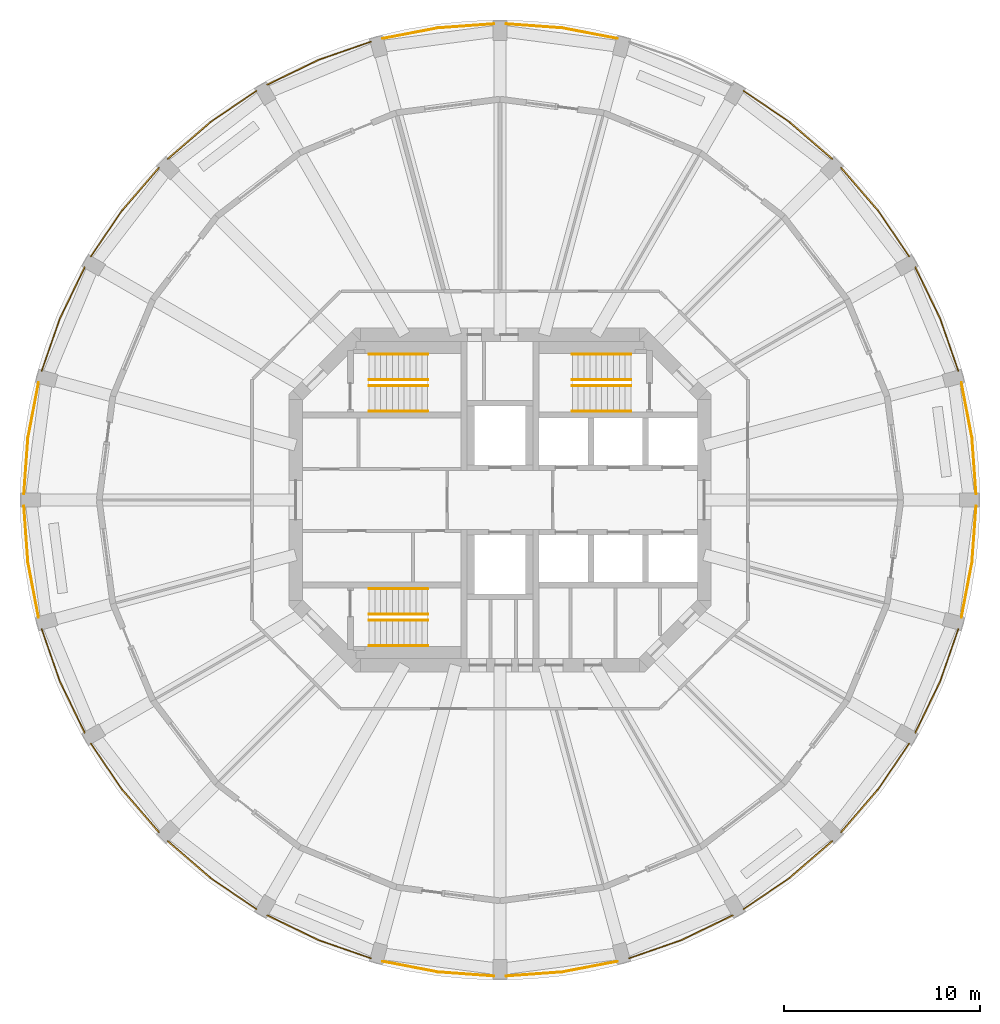
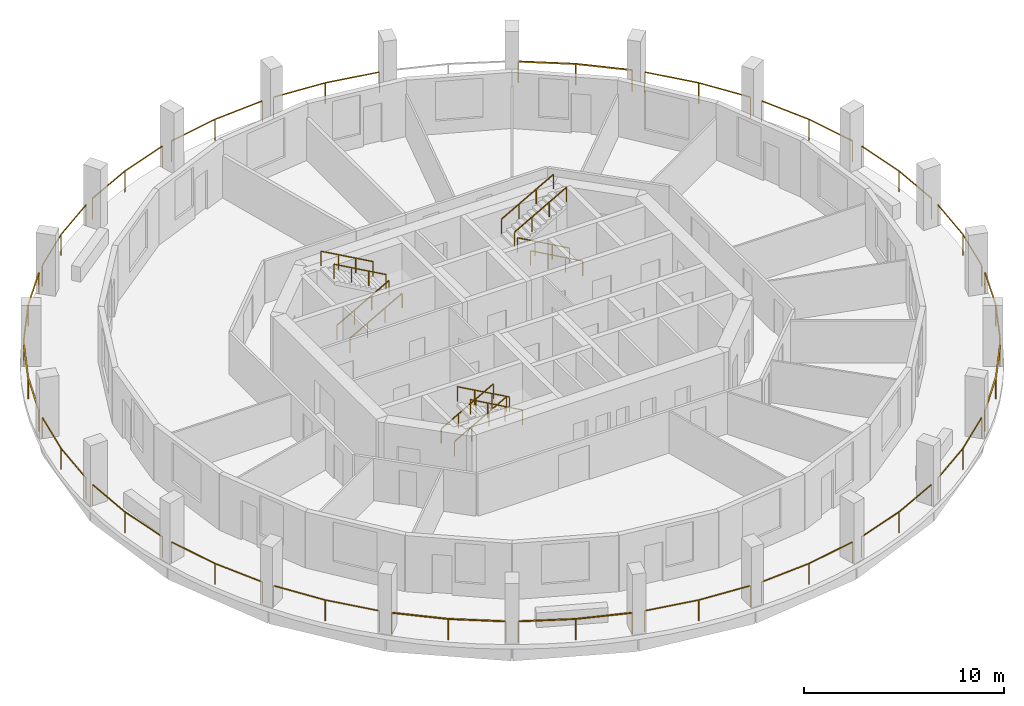
# One storey, part 8 of 9: 35 railings.
"""IFC4 building model written with IfcOpenShell, lengths in metres."""

from ifc_helpers import new_model, si_unit, direction, frame, origin, origin_2d, place, context, subcontext, project, spatial, rectangle, extrude, material, type_object, element, save


model = new_model("IFC4")

# Units and contexts
model_context = context("Model", 3, precision=1e-05, world=origin(), true_north=direction((0.0, 1.0)))
body_context = subcontext(model_context, "Body", "Model", "MODEL_VIEW")
ifc_project = project(units=[si_unit("LENGTHUNIT", "METRE"), si_unit("AREAUNIT", "SQUARE_METRE"), si_unit("VOLUMEUNIT", "CUBIC_METRE"), si_unit("PLANEANGLEUNIT", "RADIAN"), si_unit("MASSUNIT", "GRAM", prefix="KILO")], contexts=[model_context])

# Site, building, storey
site_placement = place(None, origin())
site = spatial("IfcSite", under=ifc_project, at=site_placement, CompositionType="ELEMENT")
building_placement = place(site_placement, origin())
building = spatial("IfcBuilding", under=site, at=building_placement, Name="Torre Triforio", CompositionType="ELEMENT")
storey_placement = place(building_placement, frame((0.0, 0.0, 226.10009765625)))
storey = spatial("IfcBuildingStorey", under=building, at=storey_placement, Name="L51", CompositionType="ELEMENT", Elevation=226.10009765625)

# Railings
ifc_material = material(Name="Stainless steel AISI 316", Category="steel")
railing_type_1 = type_object("IfcRailingType", Name="HANDRAIL 920", PredefinedType="HANDRAIL", material=ifc_material)
for number, where, name in (
    (1, (-6.699951171875, 4.550048828125, 0.16796875), "Handrail ST1"),
    (2, (-6.699951171875, 5.85009765625, 0.16796875), "Handrail ST1"),
):
    element("IfcRailing", number, at=place(storey_placement, frame(where)), inside=storey, type_object=railing_type_1, Name=name, PredefinedType="HANDRAIL", context=body_context, shape_type="SweptSolid", body=[
        extrude(rectangle(XDim=0.048095703125, YDim=0.048095703125, at=origin_2d()), frame((0.0, 0.0, 0.89599609375), z_axis=(0.872272294576, 0.0, 0.489020494575), x_axis=(0.0, 1.0, 0.0)), (0.0, 0.0, 1.0), 3.439208984375),
        extrude(rectangle(XDim=0.0419921875, YDim=0.0419921875, at=origin_2d()), origin(), (0.0, 0.0, 1.0), 0.871826171875),
        extrude(rectangle(XDim=0.0419921875, YDim=0.0419921875, at=origin_2d()), frame((1.0, 0.0, 0.560546875)), (0.0, 0.0, 1.0), 0.871826171875),
        extrude(rectangle(XDim=0.0419921875, YDim=0.0419921875, at=origin_2d()), frame((2.0, 0.0, 1.121337890625)), (0.0, 0.0, 1.0), 0.871826171875),
        extrude(rectangle(XDim=0.0419921875, YDim=0.0419921875, at=origin_2d()), frame((3.0, 0.0, 1.681884765625)), (0.0, 0.0, 1.0), 0.871826171875),
    ])
for number, where, name in (
    (3, (-3.699951171875, 7.449951171875, 2.01806640625), "Handrail ST1"),
    (4, (-3.699951171875, 6.14990234375, 2.01806640625), "Handrail ST1"),
    (5, (6.699951171875, 4.550048828125, 0.16796875), "Handrail ST2"),
    (6, (6.699951171875, 5.85009765625, 0.16796875), "Handrail ST2"),
):
    element("IfcRailing", number, at=place(storey_placement, frame(where)), inside=storey, type_object=railing_type_1, Name=name, PredefinedType="HANDRAIL", context=body_context, shape_type="SweptSolid", body=[
        extrude(rectangle(XDim=0.048095703125, YDim=0.048095703125, at=origin_2d()), frame((0.0, 0.0, 0.89599609375), z_axis=(-0.872272294576, 0.0, 0.489020494575), x_axis=(0.0, -1.0, 0.0)), (0.0, 0.0, 1.0), 3.439208984375),
        extrude(rectangle(XDim=0.0419921875, YDim=0.0419921875, at=origin_2d()), origin(), (0.0, 0.0, 1.0), 0.871826171875),
        extrude(rectangle(XDim=0.0419921875, YDim=0.0419921875, at=origin_2d()), frame((-1.0, 0.0, 0.560546875)), (0.0, 0.0, 1.0), 0.871826171875),
        extrude(rectangle(XDim=0.0419921875, YDim=0.0419921875, at=origin_2d()), frame((-2.0, 0.0, 1.121337890625)), (0.0, 0.0, 1.0), 0.871826171875),
        extrude(rectangle(XDim=0.0419921875, YDim=0.0419921875, at=origin_2d()), frame((-3.0, 0.0, 1.681884765625)), (0.0, 0.0, 1.0), 0.871826171875),
    ])
for number, where, name in (
    (7, (3.699951171875, 7.449951171875, 2.01806640625), "Handrail ST2"),
    (8, (3.699951171875, 6.14990234375, 2.01806640625), "Handrail ST2"),
    (9, (-6.699951171875, -4.550048828125, 0.16796875), "Handrail ST3"),
    (10, (-6.699951171875, -5.85009765625, 0.16796875), "Handrail ST3"),
):
    element("IfcRailing", number, at=place(storey_placement, frame(where)), inside=storey, type_object=railing_type_1, Name=name, PredefinedType="HANDRAIL", context=body_context, shape_type="SweptSolid", body=[
        extrude(rectangle(XDim=0.048095703125, YDim=0.048095703125, at=origin_2d()), frame((0.0, 0.0, 0.89599609375), z_axis=(0.872272294576, 0.0, 0.489020494575), x_axis=(0.0, 1.0, 0.0)), (0.0, 0.0, 1.0), 3.439208984375),
        extrude(rectangle(XDim=0.0419921875, YDim=0.0419921875, at=origin_2d()), origin(), (0.0, 0.0, 1.0), 0.871826171875),
        extrude(rectangle(XDim=0.0419921875, YDim=0.0419921875, at=origin_2d()), frame((1.0, 0.0, 0.560546875)), (0.0, 0.0, 1.0), 0.871826171875),
        extrude(rectangle(XDim=0.0419921875, YDim=0.0419921875, at=origin_2d()), frame((2.0, 0.0, 1.121337890625)), (0.0, 0.0, 1.0), 0.871826171875),
        extrude(rectangle(XDim=0.0419921875, YDim=0.0419921875, at=origin_2d()), frame((3.0, 0.0, 1.681884765625)), (0.0, 0.0, 1.0), 0.871826171875),
    ])
for number, where, name in (
    (11, (-3.699951171875, -7.449951171875, 2.01806640625), "Handrail ST3"),
    (12, (-3.699951171875, -6.14990234375, 2.01806640625), "Handrail ST3"),
):
    element("IfcRailing", number, at=place(storey_placement, frame(where)), inside=storey, type_object=railing_type_1, Name=name, PredefinedType="HANDRAIL", context=body_context, shape_type="SweptSolid", body=[
        extrude(rectangle(XDim=0.048095703125, YDim=0.048095703125, at=origin_2d()), frame((0.0, 0.0, 0.89599609375), z_axis=(-0.872272294576, 0.0, 0.489020494575), x_axis=(0.0, -1.0, 0.0)), (0.0, 0.0, 1.0), 3.439208984375),
        extrude(rectangle(XDim=0.0419921875, YDim=0.0419921875, at=origin_2d()), origin(), (0.0, 0.0, 1.0), 0.871826171875),
        extrude(rectangle(XDim=0.0419921875, YDim=0.0419921875, at=origin_2d()), frame((-1.0, 0.0, 0.560546875)), (0.0, 0.0, 1.0), 0.871826171875),
        extrude(rectangle(XDim=0.0419921875, YDim=0.0419921875, at=origin_2d()), frame((-2.0, 0.0, 1.121337890625)), (0.0, 0.0, 1.0), 0.871826171875),
        extrude(rectangle(XDim=0.0419921875, YDim=0.0419921875, at=origin_2d()), frame((-3.0, 0.0, 1.681884765625)), (0.0, 0.0, 1.0), 0.871826171875),
    ])
railing_type_2 = type_object("IfcRailingType", Name="Loggia guard 1300", PredefinedType="GUARDRAIL", material=ifc_material)
railing_1_placement = place(storey_placement, frame((24.35009765625, 0.320068359375, 0.0)))
element("IfcRailing", 13, at=railing_1_placement, inside=storey, type_object=railing_type_2, Name="Loggia guard L51 bay 01", PredefinedType="GUARDRAIL", context=body_context, shape_type="SweptSolid", body=[
    extrude(rectangle(XDim=0.050048828125, YDim=0.050048828125, at=origin_2d()), frame((0.0, 0.0, 1.27490234375), z_axis=(-0.072754488601, 0.997349880628, 0.0), x_axis=(-0.997349880628, -0.072754488601, 0.0)), (0.0, 0.0, 1.0), 2.86572265625),
    extrude(rectangle(XDim=0.050048828125, YDim=0.050048828125, at=origin_2d()), frame((-0.20849609375, 2.858154296875, 1.27490234375), z_axis=(-0.187918414449, 0.982184641252, 0.0), x_axis=(-0.982184641252, -0.187918414449, 0.0)), (0.0, 0.0, 1.0), 2.865966796875),
    extrude(rectangle(XDim=0.0400390625, YDim=0.0400390625, at=origin_2d()), origin(), (0.0, 0.0, 1.0), 1.25),
    extrude(rectangle(XDim=0.0400390625, YDim=0.0400390625, at=origin_2d()), frame((-0.20849609375, 2.858154296875, 0.0)), (0.0, 0.0, 1.0), 1.25),
    extrude(rectangle(XDim=0.0400390625, YDim=0.0400390625, at=origin_2d()), frame((-0.7470703125, 5.673095703125, 0.0)), (0.0, 0.0, 1.0), 1.25),
])
railing_2_placement = place(storey_placement, frame((23.4375, 6.611328125, 0.0)))
element("IfcRailing", 14, at=railing_2_placement, inside=storey, type_object=railing_type_2, Name="Loggia guard L51 bay 02", PredefinedType="GUARDRAIL", context=body_context, shape_type="SweptSolid", body=[
    extrude(rectangle(XDim=0.050048828125, YDim=0.050048828125, at=origin_2d()), frame((0.0, 0.0, 1.27490234375), z_axis=(-0.328315763022, 0.944568028123, 0.0), x_axis=(-0.944568028123, -0.328315763022, 0.0)), (0.0, 0.0, 1.0), 2.865966796875),
    extrude(rectangle(XDim=0.050048828125, YDim=0.050048828125, at=origin_2d()), frame((-0.94091796875, 2.70703125, 1.27490234375), z_axis=(-0.435727917358, 0.900078431046, 0.0), x_axis=(-0.900078431046, -0.435727917358, 0.0)), (0.0, 0.0, 1.0), 2.865966796875),
    extrude(rectangle(XDim=0.0400390625, YDim=0.0400390625, at=origin_2d()), origin(), (0.0, 0.0, 1.0), 1.25),
    extrude(rectangle(XDim=0.0400390625, YDim=0.0400390625, at=origin_2d()), frame((-0.94091796875, 2.70703125, 0.0)), (0.0, 0.0, 1.0), 1.25),
    extrude(rectangle(XDim=0.0400390625, YDim=0.0400390625, at=origin_2d()), frame((-2.189697265625, 5.28662109375, 0.0)), (0.0, 0.0, 1.0), 1.25),
])
railing_3_placement = place(storey_placement, frame((20.927734375, 12.4521484375, 0.0)))
element("IfcRailing", 15, at=railing_3_placement, inside=storey, type_object=railing_type_2, Name="Loggia guard L51 bay 03", PredefinedType="GUARDRAIL", context=body_context, shape_type="SweptSolid", body=[
    extrude(rectangle(XDim=0.050048828125, YDim=0.050048828125, at=origin_2d()), frame((0.0, 0.0, 1.27490234375), z_axis=(-0.561659735558, 0.827368322727, 0.0), x_axis=(-0.827368322727, -0.561659735558, 0.0)), (0.0, 0.0, 1.0), 2.86572265625),
    extrude(rectangle(XDim=0.050048828125, YDim=0.050048828125, at=origin_2d()), frame((-1.609619140625, 2.37109375, 1.27490234375), z_axis=(-0.653823896404, 0.756646755422, 0.0), x_axis=(-0.756646755422, -0.653823896404, 0.0)), (0.0, 0.0, 1.0), 2.865966796875),
    extrude(rectangle(XDim=0.0400390625, YDim=0.0400390625, at=origin_2d()), origin(), (0.0, 0.0, 1.0), 1.25),
    extrude(rectangle(XDim=0.0400390625, YDim=0.0400390625, at=origin_2d()), frame((-1.609619140625, 2.37109375, 0.0)), (0.0, 0.0, 1.0), 1.25),
    extrude(rectangle(XDim=0.0400390625, YDim=0.0400390625, at=origin_2d()), frame((-3.4833984375, 4.53955078125, 0.0)), (0.0, 0.0, 1.0), 1.25),
])
railing_4_placement = place(storey_placement, frame((16.99169921875, 17.4443359375, 0.0)))
element("IfcRailing", 16, at=railing_4_placement, inside=storey, type_object=railing_type_2, Name="Loggia guard L51 bay 04", PredefinedType="GUARDRAIL", context=body_context, shape_type="SweptSolid", body=[
    extrude(rectangle(XDim=0.050048828125, YDim=0.050048828125, at=origin_2d()), frame((0.0, 0.0, 1.27490234375), z_axis=(-0.756646755422, 0.653823896404, 0.0), x_axis=(-0.653823896404, -0.756646755422, 0.0)), (0.0, 0.0, 1.0), 2.865966796875),
    extrude(rectangle(XDim=0.050048828125, YDim=0.050048828125, at=origin_2d()), frame((-2.16845703125, 1.873779296875, 1.27490234375), z_axis=(-0.827368322727, 0.561659735558, 0.0), x_axis=(-0.561659735558, -0.827368322727, 0.0)), (0.0, 0.0, 1.0), 2.86572265625),
    extrude(rectangle(XDim=0.0400390625, YDim=0.0400390625, at=origin_2d()), origin(), (0.0, 0.0, 1.0), 1.25),
    extrude(rectangle(XDim=0.0400390625, YDim=0.0400390625, at=origin_2d()), frame((-2.16845703125, 1.873779296875, 0.0)), (0.0, 0.0, 1.0), 1.25),
    extrude(rectangle(XDim=0.0400390625, YDim=0.0400390625, at=origin_2d()), frame((-4.53955078125, 3.4833984375, 0.0)), (0.0, 0.0, 1.0), 1.25),
])
railing_5_placement = place(storey_placement, frame((5.9931640625, 23.60302734375, 0.0)))
element("IfcRailing", 17, at=railing_5_placement, inside=storey, type_object=railing_type_2, Name="Loggia guard L51 bay 06", PredefinedType="GUARDRAIL", context=body_context, shape_type="SweptSolid", body=[
    extrude(rectangle(XDim=0.050048828125, YDim=0.050048828125, at=origin_2d()), frame((0.0, 0.0, 1.27490234375), z_axis=(-0.982184641252, 0.187918414449, 0.0), x_axis=(-0.187918414449, -0.982184641252, 0.0)), (0.0, 0.0, 1.0), 2.865966796875),
    extrude(rectangle(XDim=0.050048828125, YDim=0.050048828125, at=origin_2d()), frame((-2.81494140625, 0.53857421875, 1.27490234375), z_axis=(-0.997349880628, 0.072754488601, 0.0), x_axis=(-0.072754488601, -0.997349880628, 0.0)), (0.0, 0.0, 1.0), 2.86572265625),
    extrude(rectangle(XDim=0.0400390625, YDim=0.0400390625, at=origin_2d()), origin(), (0.0, 0.0, 1.0), 1.25),
    extrude(rectangle(XDim=0.0400390625, YDim=0.0400390625, at=origin_2d()), frame((-2.81494140625, 0.53857421875, 0.0)), (0.0, 0.0, 1.0), 1.25),
    extrude(rectangle(XDim=0.0400390625, YDim=0.0400390625, at=origin_2d()), frame((-5.673095703125, 0.7470703125, 0.0)), (0.0, 0.0, 1.0), 1.25),
])
railing_6_placement = place(storey_placement, frame((-0.320068359375, 24.35009765625, 0.0)))
element("IfcRailing", 18, at=railing_6_placement, inside=storey, type_object=railing_type_2, Name="Loggia guard L51 bay 07", PredefinedType="GUARDRAIL", context=body_context, shape_type="SweptSolid", body=[
    extrude(rectangle(XDim=0.050048828125, YDim=0.050048828125, at=origin_2d()), frame((0.0, 0.0, 1.27490234375), z_axis=(-0.997349880628, -0.072754488601, 0.0), x_axis=(0.072754488601, -0.997349880628, 0.0)), (0.0, 0.0, 1.0), 2.86572265625),
    extrude(rectangle(XDim=0.050048828125, YDim=0.050048828125, at=origin_2d()), frame((-2.858154296875, -0.20849609375, 1.27490234375), z_axis=(-0.982184641252, -0.187918414449, 0.0), x_axis=(0.187918414449, -0.982184641252, 0.0)), (0.0, 0.0, 1.0), 2.865966796875),
    extrude(rectangle(XDim=0.0400390625, YDim=0.0400390625, at=origin_2d()), origin(), (0.0, 0.0, 1.0), 1.25),
    extrude(rectangle(XDim=0.0400390625, YDim=0.0400390625, at=origin_2d()), frame((-2.858154296875, -0.20849609375, 0.0)), (0.0, 0.0, 1.0), 1.25),
    extrude(rectangle(XDim=0.0400390625, YDim=0.0400390625, at=origin_2d()), frame((-5.673095703125, -0.7470703125, 0.0)), (0.0, 0.0, 1.0), 1.25),
])
railing_7_placement = place(storey_placement, frame((-6.611328125, 23.4375, 0.0)))
element("IfcRailing", 19, at=railing_7_placement, inside=storey, type_object=railing_type_2, Name="Loggia guard L51 bay 08", PredefinedType="GUARDRAIL", context=body_context, shape_type="SweptSolid", body=[
    extrude(rectangle(XDim=0.050048828125, YDim=0.050048828125, at=origin_2d()), frame((0.0, 0.0, 1.27490234375), z_axis=(-0.944568028123, -0.328315763022, 0.0), x_axis=(0.328315763022, -0.944568028123, 0.0)), (0.0, 0.0, 1.0), 2.865966796875),
    extrude(rectangle(XDim=0.050048828125, YDim=0.050048828125, at=origin_2d()), frame((-2.70703125, -0.94091796875, 1.27490234375), z_axis=(-0.900078431046, -0.435727917358, 0.0), x_axis=(0.435727917358, -0.900078431046, 0.0)), (0.0, 0.0, 1.0), 2.865966796875),
    extrude(rectangle(XDim=0.0400390625, YDim=0.0400390625, at=origin_2d()), origin(), (0.0, 0.0, 1.0), 1.25),
    extrude(rectangle(XDim=0.0400390625, YDim=0.0400390625, at=origin_2d()), frame((-2.70703125, -0.94091796875, 0.0)), (0.0, 0.0, 1.0), 1.25),
    extrude(rectangle(XDim=0.0400390625, YDim=0.0400390625, at=origin_2d()), frame((-5.28662109375, -2.189697265625, 0.0)), (0.0, 0.0, 1.0), 1.25),
])
railing_8_placement = place(storey_placement, frame((-12.4521484375, 20.927734375, 0.0)))
element("IfcRailing", 20, at=railing_8_placement, inside=storey, type_object=railing_type_2, Name="Loggia guard L51 bay 09", PredefinedType="GUARDRAIL", context=body_context, shape_type="SweptSolid", body=[
    extrude(rectangle(XDim=0.050048828125, YDim=0.050048828125, at=origin_2d()), frame((0.0, 0.0, 1.27490234375), z_axis=(-0.827368322727, -0.561659735558, 0.0), x_axis=(0.561659735558, -0.827368322727, 0.0)), (0.0, 0.0, 1.0), 2.86572265625),
    extrude(rectangle(XDim=0.050048828125, YDim=0.050048828125, at=origin_2d()), frame((-2.37109375, -1.609619140625, 1.27490234375), z_axis=(-0.756646755422, -0.653823896404, 0.0), x_axis=(0.653823896404, -0.756646755422, 0.0)), (0.0, 0.0, 1.0), 2.865966796875),
    extrude(rectangle(XDim=0.0400390625, YDim=0.0400390625, at=origin_2d()), origin(), (0.0, 0.0, 1.0), 1.25),
    extrude(rectangle(XDim=0.0400390625, YDim=0.0400390625, at=origin_2d()), frame((-2.37109375, -1.609619140625, 0.0)), (0.0, 0.0, 1.0), 1.25),
    extrude(rectangle(XDim=0.0400390625, YDim=0.0400390625, at=origin_2d()), frame((-4.53955078125, -3.4833984375, 0.0)), (0.0, 0.0, 1.0), 1.25),
])
railing_9_placement = place(storey_placement, frame((-17.4443359375, 16.99169921875, 0.0)))
element("IfcRailing", 21, at=railing_9_placement, inside=storey, type_object=railing_type_2, Name="Loggia guard L51 bay 10", PredefinedType="GUARDRAIL", context=body_context, shape_type="SweptSolid", body=[
    extrude(rectangle(XDim=0.050048828125, YDim=0.050048828125, at=origin_2d()), frame((0.0, 0.0, 1.27490234375), z_axis=(-0.653823896404, -0.756646755422, 0.0), x_axis=(0.756646755422, -0.653823896404, 0.0)), (0.0, 0.0, 1.0), 2.865966796875),
    extrude(rectangle(XDim=0.050048828125, YDim=0.050048828125, at=origin_2d()), frame((-1.873779296875, -2.16845703125, 1.27490234375), z_axis=(-0.561659735558, -0.827368322727, 0.0), x_axis=(0.827368322727, -0.561659735558, 0.0)), (0.0, 0.0, 1.0), 2.86572265625),
    extrude(rectangle(XDim=0.0400390625, YDim=0.0400390625, at=origin_2d()), origin(), (0.0, 0.0, 1.0), 1.25),
    extrude(rectangle(XDim=0.0400390625, YDim=0.0400390625, at=origin_2d()), frame((-1.873779296875, -2.16845703125, 0.0)), (0.0, 0.0, 1.0), 1.25),
    extrude(rectangle(XDim=0.0400390625, YDim=0.0400390625, at=origin_2d()), frame((-3.4833984375, -4.53955078125, 0.0)), (0.0, 0.0, 1.0), 1.25),
])
railing_10_placement = place(storey_placement, frame((-21.247802734375, 11.89794921875, 0.0)))
element("IfcRailing", 22, at=railing_10_placement, inside=storey, type_object=railing_type_2, Name="Loggia guard L51 bay 11", PredefinedType="GUARDRAIL", context=body_context, shape_type="SweptSolid", body=[
    extrude(rectangle(XDim=0.050048828125, YDim=0.050048828125, at=origin_2d()), frame((0.0, 0.0, 1.27490234375), z_axis=(-0.435727917358, -0.900078431046, 0.0), x_axis=(0.900078431046, -0.435727917358, 0.0)), (0.0, 0.0, 1.0), 2.865966796875),
    extrude(rectangle(XDim=0.050048828125, YDim=0.050048828125, at=origin_2d()), frame((-1.248779296875, -2.57958984375, 1.27490234375), z_axis=(-0.328315763022, -0.944568028123, 0.0), x_axis=(0.944568028123, -0.328315763022, 0.0)), (0.0, 0.0, 1.0), 2.865966796875),
    extrude(rectangle(XDim=0.0400390625, YDim=0.0400390625, at=origin_2d()), origin(), (0.0, 0.0, 1.0), 1.25),
    extrude(rectangle(XDim=0.0400390625, YDim=0.0400390625, at=origin_2d()), frame((-1.248779296875, -2.57958984375, 0.0)), (0.0, 0.0, 1.0), 1.25),
    extrude(rectangle(XDim=0.0400390625, YDim=0.0400390625, at=origin_2d()), frame((-2.189697265625, -5.28662109375, 0.0)), (0.0, 0.0, 1.0), 1.25),
])
railing_11_placement = place(storey_placement, frame((-23.60302734375, 5.9931640625, 0.0)))
element("IfcRailing", 23, at=railing_11_placement, inside=storey, type_object=railing_type_2, Name="Loggia guard L51 bay 12", PredefinedType="GUARDRAIL", context=body_context, shape_type="SweptSolid", body=[
    extrude(rectangle(XDim=0.050048828125, YDim=0.050048828125, at=origin_2d()), frame((0.0, 0.0, 1.27490234375), z_axis=(-0.187918414449, -0.982184641252, 0.0), x_axis=(0.982184641252, -0.187918414449, 0.0)), (0.0, 0.0, 1.0), 2.865966796875),
    extrude(rectangle(XDim=0.050048828125, YDim=0.050048828125, at=origin_2d()), frame((-0.53857421875, -2.81494140625, 1.27490234375), z_axis=(-0.072754488601, -0.997349880628, 0.0), x_axis=(0.997349880628, -0.072754488601, 0.0)), (0.0, 0.0, 1.0), 2.86572265625),
    extrude(rectangle(XDim=0.0400390625, YDim=0.0400390625, at=origin_2d()), origin(), (0.0, 0.0, 1.0), 1.25),
    extrude(rectangle(XDim=0.0400390625, YDim=0.0400390625, at=origin_2d()), frame((-0.53857421875, -2.81494140625, 0.0)), (0.0, 0.0, 1.0), 1.25),
    extrude(rectangle(XDim=0.0400390625, YDim=0.0400390625, at=origin_2d()), frame((-0.7470703125, -5.673095703125, 0.0)), (0.0, 0.0, 1.0), 1.25),
])
railing_12_placement = place(storey_placement, frame((-24.35009765625, -0.320068359375, 0.0)))
element("IfcRailing", 24, at=railing_12_placement, inside=storey, type_object=railing_type_2, Name="Loggia guard L51 bay 13", PredefinedType="GUARDRAIL", context=body_context, shape_type="SweptSolid", body=[
    extrude(rectangle(XDim=0.050048828125, YDim=0.050048828125, at=origin_2d()), frame((0.0, 0.0, 1.27490234375), z_axis=(0.072754488601, -0.997349880628, 0.0), x_axis=(0.997349880628, 0.072754488601, 0.0)), (0.0, 0.0, 1.0), 2.86572265625),
    extrude(rectangle(XDim=0.050048828125, YDim=0.050048828125, at=origin_2d()), frame((0.20849609375, -2.858154296875, 1.27490234375), z_axis=(0.187918414449, -0.982184641252, 0.0), x_axis=(0.982184641252, 0.187918414449, 0.0)), (0.0, 0.0, 1.0), 2.865966796875),
    extrude(rectangle(XDim=0.0400390625, YDim=0.0400390625, at=origin_2d()), origin(), (0.0, 0.0, 1.0), 1.25),
    extrude(rectangle(XDim=0.0400390625, YDim=0.0400390625, at=origin_2d()), frame((0.20849609375, -2.858154296875, 0.0)), (0.0, 0.0, 1.0), 1.25),
    extrude(rectangle(XDim=0.0400390625, YDim=0.0400390625, at=origin_2d()), frame((0.7470703125, -5.673095703125, 0.0)), (0.0, 0.0, 1.0), 1.25),
])
railing_13_placement = place(storey_placement, frame((-23.4375, -6.611328125, 0.0)))
element("IfcRailing", 25, at=railing_13_placement, inside=storey, type_object=railing_type_2, Name="Loggia guard L51 bay 14", PredefinedType="GUARDRAIL", context=body_context, shape_type="SweptSolid", body=[
    extrude(rectangle(XDim=0.050048828125, YDim=0.050048828125, at=origin_2d()), frame((0.0, 0.0, 1.27490234375), z_axis=(0.328315763022, -0.944568028123, 0.0), x_axis=(0.944568028123, 0.328315763022, 0.0)), (0.0, 0.0, 1.0), 2.865966796875),
    extrude(rectangle(XDim=0.050048828125, YDim=0.050048828125, at=origin_2d()), frame((0.94091796875, -2.70703125, 1.27490234375), z_axis=(0.435727917358, -0.900078431046, 0.0), x_axis=(0.900078431046, 0.435727917358, 0.0)), (0.0, 0.0, 1.0), 2.865966796875),
    extrude(rectangle(XDim=0.0400390625, YDim=0.0400390625, at=origin_2d()), origin(), (0.0, 0.0, 1.0), 1.25),
    extrude(rectangle(XDim=0.0400390625, YDim=0.0400390625, at=origin_2d()), frame((0.94091796875, -2.70703125, 0.0)), (0.0, 0.0, 1.0), 1.25),
    extrude(rectangle(XDim=0.0400390625, YDim=0.0400390625, at=origin_2d()), frame((2.189697265625, -5.28662109375, 0.0)), (0.0, 0.0, 1.0), 1.25),
])
railing_14_placement = place(storey_placement, frame((-20.927734375, -12.4521484375, 0.0)))
element("IfcRailing", 26, at=railing_14_placement, inside=storey, type_object=railing_type_2, Name="Loggia guard L51 bay 15", PredefinedType="GUARDRAIL", context=body_context, shape_type="SweptSolid", body=[
    extrude(rectangle(XDim=0.050048828125, YDim=0.050048828125, at=origin_2d()), frame((0.0, 0.0, 1.27490234375), z_axis=(0.561659735558, -0.827368322727, 0.0), x_axis=(0.827368322727, 0.561659735558, 0.0)), (0.0, 0.0, 1.0), 2.86572265625),
    extrude(rectangle(XDim=0.050048828125, YDim=0.050048828125, at=origin_2d()), frame((1.609619140625, -2.37109375, 1.27490234375), z_axis=(0.653823896404, -0.756646755422, 0.0), x_axis=(0.756646755422, 0.653823896404, 0.0)), (0.0, 0.0, 1.0), 2.865966796875),
    extrude(rectangle(XDim=0.0400390625, YDim=0.0400390625, at=origin_2d()), origin(), (0.0, 0.0, 1.0), 1.25),
    extrude(rectangle(XDim=0.0400390625, YDim=0.0400390625, at=origin_2d()), frame((1.609619140625, -2.37109375, 0.0)), (0.0, 0.0, 1.0), 1.25),
    extrude(rectangle(XDim=0.0400390625, YDim=0.0400390625, at=origin_2d()), frame((3.4833984375, -4.53955078125, 0.0)), (0.0, 0.0, 1.0), 1.25),
])
railing_15_placement = place(storey_placement, frame((-16.99169921875, -17.4443359375, 0.0)))
element("IfcRailing", 27, at=railing_15_placement, inside=storey, type_object=railing_type_2, Name="Loggia guard L51 bay 16", PredefinedType="GUARDRAIL", context=body_context, shape_type="SweptSolid", body=[
    extrude(rectangle(XDim=0.050048828125, YDim=0.050048828125, at=origin_2d()), frame((0.0, 0.0, 1.27490234375), z_axis=(0.756646755422, -0.653823896404, 0.0), x_axis=(0.653823896404, 0.756646755422, 0.0)), (0.0, 0.0, 1.0), 2.865966796875),
    extrude(rectangle(XDim=0.050048828125, YDim=0.050048828125, at=origin_2d()), frame((2.16845703125, -1.873779296875, 1.27490234375), z_axis=(0.827368322727, -0.561659735558, 0.0), x_axis=(0.561659735558, 0.827368322727, 0.0)), (0.0, 0.0, 1.0), 2.86572265625),
    extrude(rectangle(XDim=0.0400390625, YDim=0.0400390625, at=origin_2d()), origin(), (0.0, 0.0, 1.0), 1.25),
    extrude(rectangle(XDim=0.0400390625, YDim=0.0400390625, at=origin_2d()), frame((2.16845703125, -1.873779296875, 0.0)), (0.0, 0.0, 1.0), 1.25),
    extrude(rectangle(XDim=0.0400390625, YDim=0.0400390625, at=origin_2d()), frame((4.53955078125, -3.4833984375, 0.0)), (0.0, 0.0, 1.0), 1.25),
])
railing_16_placement = place(storey_placement, frame((-11.89794921875, -21.247802734375, 0.0)))
element("IfcRailing", 28, at=railing_16_placement, inside=storey, type_object=railing_type_2, Name="Loggia guard L51 bay 17", PredefinedType="GUARDRAIL", context=body_context, shape_type="SweptSolid", body=[
    extrude(rectangle(XDim=0.050048828125, YDim=0.050048828125, at=origin_2d()), frame((0.0, 0.0, 1.27490234375), z_axis=(0.900078431046, -0.435727917358, 0.0), x_axis=(0.435727917358, 0.900078431046, 0.0)), (0.0, 0.0, 1.0), 2.865966796875),
    extrude(rectangle(XDim=0.050048828125, YDim=0.050048828125, at=origin_2d()), frame((2.57958984375, -1.248779296875, 1.27490234375), z_axis=(0.944568028123, -0.328315763022, 0.0), x_axis=(0.328315763022, 0.944568028123, 0.0)), (0.0, 0.0, 1.0), 2.865966796875),
    extrude(rectangle(XDim=0.0400390625, YDim=0.0400390625, at=origin_2d()), origin(), (0.0, 0.0, 1.0), 1.25),
    extrude(rectangle(XDim=0.0400390625, YDim=0.0400390625, at=origin_2d()), frame((2.57958984375, -1.248779296875, 0.0)), (0.0, 0.0, 1.0), 1.25),
    extrude(rectangle(XDim=0.0400390625, YDim=0.0400390625, at=origin_2d()), frame((5.28662109375, -2.189697265625, 0.0)), (0.0, 0.0, 1.0), 1.25),
])
railing_17_placement = place(storey_placement, frame((-5.9931640625, -23.60302734375, 0.0)))
element("IfcRailing", 29, at=railing_17_placement, inside=storey, type_object=railing_type_2, Name="Loggia guard L51 bay 18", PredefinedType="GUARDRAIL", context=body_context, shape_type="SweptSolid", body=[
    extrude(rectangle(XDim=0.050048828125, YDim=0.050048828125, at=origin_2d()), frame((0.0, 0.0, 1.27490234375), z_axis=(0.982184641252, -0.187918414449, 0.0), x_axis=(0.187918414449, 0.982184641252, 0.0)), (0.0, 0.0, 1.0), 2.865966796875),
    extrude(rectangle(XDim=0.050048828125, YDim=0.050048828125, at=origin_2d()), frame((2.81494140625, -0.53857421875, 1.27490234375), z_axis=(0.997349880628, -0.072754488601, 0.0), x_axis=(0.072754488601, 0.997349880628, 0.0)), (0.0, 0.0, 1.0), 2.86572265625),
    extrude(rectangle(XDim=0.0400390625, YDim=0.0400390625, at=origin_2d()), origin(), (0.0, 0.0, 1.0), 1.25),
    extrude(rectangle(XDim=0.0400390625, YDim=0.0400390625, at=origin_2d()), frame((2.81494140625, -0.53857421875, 0.0)), (0.0, 0.0, 1.0), 1.25),
    extrude(rectangle(XDim=0.0400390625, YDim=0.0400390625, at=origin_2d()), frame((5.673095703125, -0.7470703125, 0.0)), (0.0, 0.0, 1.0), 1.25),
])
railing_18_placement = place(storey_placement, frame((0.320068359375, -24.35009765625, 0.0)))
element("IfcRailing", 30, at=railing_18_placement, inside=storey, type_object=railing_type_2, Name="Loggia guard L51 bay 19", PredefinedType="GUARDRAIL", context=body_context, shape_type="SweptSolid", body=[
    extrude(rectangle(XDim=0.050048828125, YDim=0.050048828125, at=origin_2d()), frame((0.0, 0.0, 1.27490234375), z_axis=(0.997349880628, 0.072754488601, 0.0), x_axis=(-0.072754488601, 0.997349880628, 0.0)), (0.0, 0.0, 1.0), 2.86572265625),
    extrude(rectangle(XDim=0.050048828125, YDim=0.050048828125, at=origin_2d()), frame((2.858154296875, 0.20849609375, 1.27490234375), z_axis=(0.982184641252, 0.187918414449, 0.0), x_axis=(-0.187918414449, 0.982184641252, 0.0)), (0.0, 0.0, 1.0), 2.865966796875),
    extrude(rectangle(XDim=0.0400390625, YDim=0.0400390625, at=origin_2d()), origin(), (0.0, 0.0, 1.0), 1.25),
    extrude(rectangle(XDim=0.0400390625, YDim=0.0400390625, at=origin_2d()), frame((2.858154296875, 0.20849609375, 0.0)), (0.0, 0.0, 1.0), 1.25),
    extrude(rectangle(XDim=0.0400390625, YDim=0.0400390625, at=origin_2d()), frame((5.673095703125, 0.7470703125, 0.0)), (0.0, 0.0, 1.0), 1.25),
])
railing_19_placement = place(storey_placement, frame((6.611328125, -23.4375, 0.0)))
element("IfcRailing", 31, at=railing_19_placement, inside=storey, type_object=railing_type_2, Name="Loggia guard L51 bay 20", PredefinedType="GUARDRAIL", context=body_context, shape_type="SweptSolid", body=[
    extrude(rectangle(XDim=0.050048828125, YDim=0.050048828125, at=origin_2d()), frame((0.0, 0.0, 1.27490234375), z_axis=(0.944568028123, 0.328315763022, 0.0), x_axis=(-0.328315763022, 0.944568028123, 0.0)), (0.0, 0.0, 1.0), 2.865966796875),
    extrude(rectangle(XDim=0.050048828125, YDim=0.050048828125, at=origin_2d()), frame((2.70703125, 0.94091796875, 1.27490234375), z_axis=(0.900078431046, 0.435727917358, 0.0), x_axis=(-0.435727917358, 0.900078431046, 0.0)), (0.0, 0.0, 1.0), 2.865966796875),
    extrude(rectangle(XDim=0.0400390625, YDim=0.0400390625, at=origin_2d()), origin(), (0.0, 0.0, 1.0), 1.25),
    extrude(rectangle(XDim=0.0400390625, YDim=0.0400390625, at=origin_2d()), frame((2.70703125, 0.94091796875, 0.0)), (0.0, 0.0, 1.0), 1.25),
    extrude(rectangle(XDim=0.0400390625, YDim=0.0400390625, at=origin_2d()), frame((5.28662109375, 2.189697265625, 0.0)), (0.0, 0.0, 1.0), 1.25),
])
railing_20_placement = place(storey_placement, frame((12.4521484375, -20.927734375, 0.0)))
element("IfcRailing", 32, at=railing_20_placement, inside=storey, type_object=railing_type_2, Name="Loggia guard L51 bay 21", PredefinedType="GUARDRAIL", context=body_context, shape_type="SweptSolid", body=[
    extrude(rectangle(XDim=0.050048828125, YDim=0.050048828125, at=origin_2d()), frame((0.0, 0.0, 1.27490234375), z_axis=(0.827368322727, 0.561659735558, 0.0), x_axis=(-0.561659735558, 0.827368322727, 0.0)), (0.0, 0.0, 1.0), 2.86572265625),
    extrude(rectangle(XDim=0.050048828125, YDim=0.050048828125, at=origin_2d()), frame((2.37109375, 1.609619140625, 1.27490234375), z_axis=(0.756646755422, 0.653823896404, 0.0), x_axis=(-0.653823896404, 0.756646755422, 0.0)), (0.0, 0.0, 1.0), 2.865966796875),
    extrude(rectangle(XDim=0.0400390625, YDim=0.0400390625, at=origin_2d()), origin(), (0.0, 0.0, 1.0), 1.25),
    extrude(rectangle(XDim=0.0400390625, YDim=0.0400390625, at=origin_2d()), frame((2.37109375, 1.609619140625, 0.0)), (0.0, 0.0, 1.0), 1.25),
    extrude(rectangle(XDim=0.0400390625, YDim=0.0400390625, at=origin_2d()), frame((4.53955078125, 3.4833984375, 0.0)), (0.0, 0.0, 1.0), 1.25),
])
railing_21_placement = place(storey_placement, frame((17.4443359375, -16.99169921875, 0.0)))
element("IfcRailing", 33, at=railing_21_placement, inside=storey, type_object=railing_type_2, Name="Loggia guard L51 bay 22", PredefinedType="GUARDRAIL", context=body_context, shape_type="SweptSolid", body=[
    extrude(rectangle(XDim=0.050048828125, YDim=0.050048828125, at=origin_2d()), frame((0.0, 0.0, 1.27490234375), z_axis=(0.653823896404, 0.756646755422, 0.0), x_axis=(-0.756646755422, 0.653823896404, 0.0)), (0.0, 0.0, 1.0), 2.865966796875),
    extrude(rectangle(XDim=0.050048828125, YDim=0.050048828125, at=origin_2d()), frame((1.873779296875, 2.16845703125, 1.27490234375), z_axis=(0.561659735558, 0.827368322727, 0.0), x_axis=(-0.827368322727, 0.561659735558, 0.0)), (0.0, 0.0, 1.0), 2.86572265625),
    extrude(rectangle(XDim=0.0400390625, YDim=0.0400390625, at=origin_2d()), origin(), (0.0, 0.0, 1.0), 1.25),
    extrude(rectangle(XDim=0.0400390625, YDim=0.0400390625, at=origin_2d()), frame((1.873779296875, 2.16845703125, 0.0)), (0.0, 0.0, 1.0), 1.25),
    extrude(rectangle(XDim=0.0400390625, YDim=0.0400390625, at=origin_2d()), frame((3.4833984375, 4.53955078125, 0.0)), (0.0, 0.0, 1.0), 1.25),
])
railing_22_placement = place(storey_placement, frame((21.247802734375, -11.89794921875, 0.0)))
element("IfcRailing", 34, at=railing_22_placement, inside=storey, type_object=railing_type_2, Name="Loggia guard L51 bay 23", PredefinedType="GUARDRAIL", context=body_context, shape_type="SweptSolid", body=[
    extrude(rectangle(XDim=0.050048828125, YDim=0.050048828125, at=origin_2d()), frame((0.0, 0.0, 1.27490234375), z_axis=(0.435727917358, 0.900078431046, 0.0), x_axis=(-0.900078431046, 0.435727917358, 0.0)), (0.0, 0.0, 1.0), 2.865966796875),
    extrude(rectangle(XDim=0.050048828125, YDim=0.050048828125, at=origin_2d()), frame((1.248779296875, 2.57958984375, 1.27490234375), z_axis=(0.328315763022, 0.944568028123, 0.0), x_axis=(-0.944568028123, 0.328315763022, 0.0)), (0.0, 0.0, 1.0), 2.865966796875),
    extrude(rectangle(XDim=0.0400390625, YDim=0.0400390625, at=origin_2d()), origin(), (0.0, 0.0, 1.0), 1.25),
    extrude(rectangle(XDim=0.0400390625, YDim=0.0400390625, at=origin_2d()), frame((1.248779296875, 2.57958984375, 0.0)), (0.0, 0.0, 1.0), 1.25),
    extrude(rectangle(XDim=0.0400390625, YDim=0.0400390625, at=origin_2d()), frame((2.189697265625, 5.28662109375, 0.0)), (0.0, 0.0, 1.0), 1.25),
])
railing_23_placement = place(storey_placement, frame((23.60302734375, -5.9931640625, 0.0)))
element("IfcRailing", 35, at=railing_23_placement, inside=storey, type_object=railing_type_2, Name="Loggia guard L51 bay 24", PredefinedType="GUARDRAIL", context=body_context, shape_type="SweptSolid", body=[
    extrude(rectangle(XDim=0.050048828125, YDim=0.050048828125, at=origin_2d()), frame((0.0, 0.0, 1.27490234375), z_axis=(0.187918414449, 0.982184641252, 0.0), x_axis=(-0.982184641252, 0.187918414449, 0.0)), (0.0, 0.0, 1.0), 2.865966796875),
    extrude(rectangle(XDim=0.050048828125, YDim=0.050048828125, at=origin_2d()), frame((0.53857421875, 2.81494140625, 1.27490234375), z_axis=(0.072754488601, 0.997349880628, 0.0), x_axis=(-0.997349880628, 0.072754488601, 0.0)), (0.0, 0.0, 1.0), 2.86572265625),
    extrude(rectangle(XDim=0.0400390625, YDim=0.0400390625, at=origin_2d()), origin(), (0.0, 0.0, 1.0), 1.25),
    extrude(rectangle(XDim=0.0400390625, YDim=0.0400390625, at=origin_2d()), frame((0.53857421875, 2.81494140625, 0.0)), (0.0, 0.0, 1.0), 1.25),
    extrude(rectangle(XDim=0.0400390625, YDim=0.0400390625, at=origin_2d()), frame((0.7470703125, 5.673095703125, 0.0)), (0.0, 0.0, 1.0), 1.25),
])

save(model, "model.ifc")
